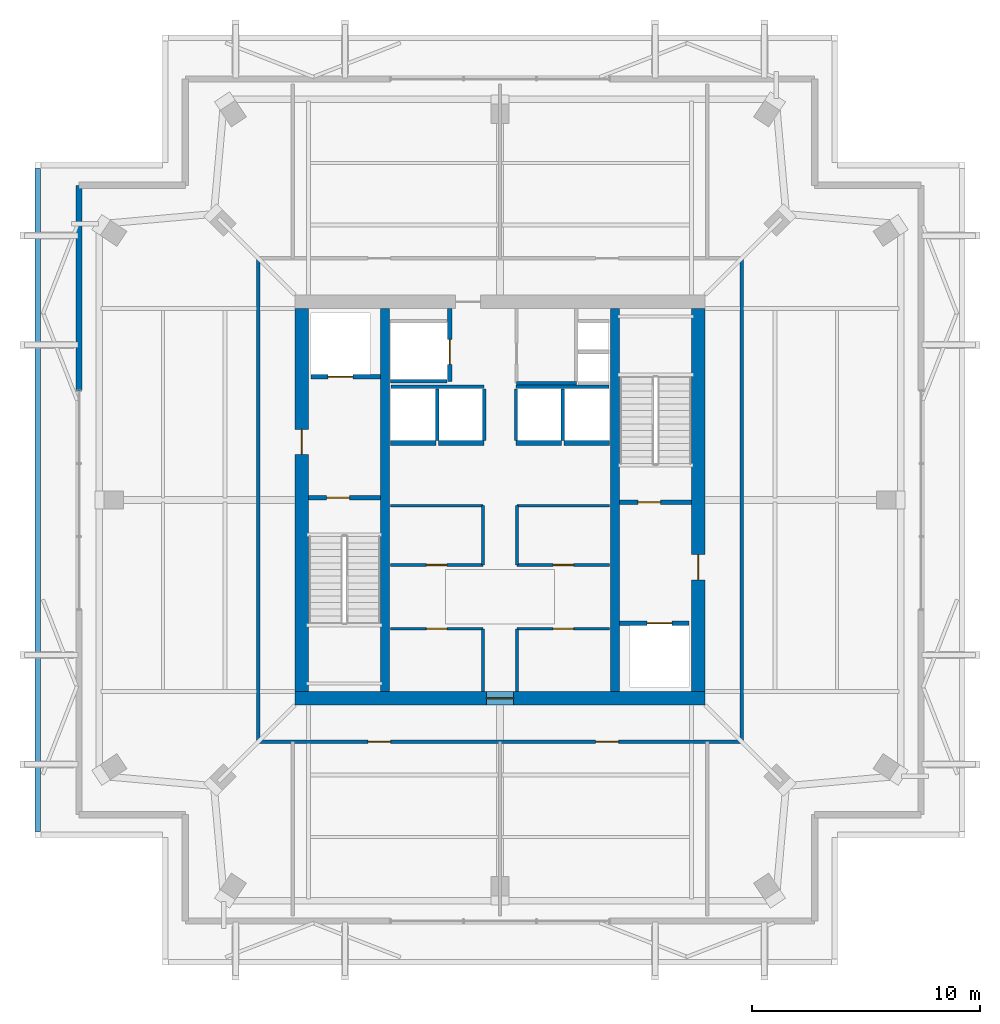
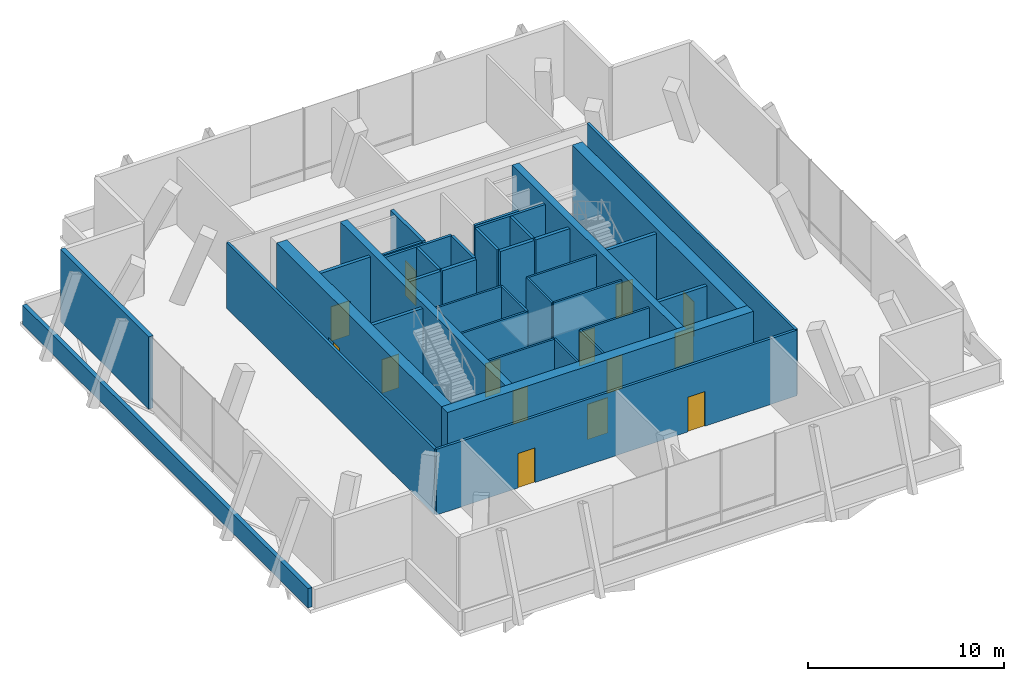
# One storey, part 16 of 18: 37 walls, 14 doors, 14 openings.
"""IFC4 building model written with IfcOpenShell, lengths in metres."""

from ifc_helpers import new_model, si_unit, direction, frame, frame_2d, origin, place, context, subcontext, project, spatial, rectangle, extrude, material, layer, layer_set, type_object, element, fill, save


model = new_model("IFC4")

# Units and contexts
model_context = context("Model", 3, precision=1e-05, world=origin(), true_north=direction((0.0, 1.0)))
body_context = subcontext(model_context, "Body", "Model", "MODEL_VIEW")
ifc_project = project(units=[si_unit("LENGTHUNIT", "METRE"), si_unit("AREAUNIT", "SQUARE_METRE"), si_unit("VOLUMEUNIT", "CUBIC_METRE"), si_unit("PLANEANGLEUNIT", "RADIAN"), si_unit("MASSUNIT", "GRAM", prefix="KILO")], contexts=[model_context])

# Site, building, storey
site_placement = place(None, origin())
site = spatial("IfcSite", under=ifc_project, at=site_placement, CompositionType="ELEMENT")
building_placement = place(site_placement, origin())
building = spatial("IfcBuilding", under=site, at=building_placement, Name="Belovzor Exchange Tower", CompositionType="ELEMENT")
storey_placement = place(building_placement, frame((0.0, 0.0, 369.0)))
storey = spatial("IfcBuildingStorey", under=building, at=storey_placement, Name="L92", CompositionType="ELEMENT", Elevation=369.0)

# Wall, opening, door
ifc_material_1 = material(Name="Fire-Rated Plasterboard on Galvanised Studs", Category="gypsum")
ifc_layer_1 = layer(ifc_material_1, 0.1201171875)
ifc_layer_set_1 = layer_set([ifc_layer_1], Name="Fire-Rated Plasterboard on Galvanised Studs")
wall_type_1 = type_object("IfcWallType", Name="Fire-Rated Double-Stud Partition Wall 120", PredefinedType="PARTITIONING", material=ifc_layer_set_1)
wall_1_placement = place(storey_placement, frame((24.0, 23.14990234375, 0.0), z_axis=(0.0, 0.0, 1.0), x_axis=(1.0, 0.0, 0.0)))
wall_1 = element("IfcWall", 1, at=wall_1_placement, inside=storey, type_object=wall_type_1, Name="W-P120F Partition Wall W-CRL-L92-WN", PredefinedType="PARTITIONING", context=body_context, shape_type="SweptSolid", body=[
    extrude(rectangle(XDim=4.050048828125, YDim=0.1201171875, at=frame_2d((2.02490234375, 0.0))), origin(), (0.0, 0.0, 1.0), 4.5),
])
opening_1_placement = place(wall_1_placement, frame((1.574951171875, 0.0, 0.0)))
opening_1 = element("IfcOpeningElement", 2, at=opening_1_placement, cuts=wall_1, Name="Opening D-FD60-090", PredefinedType="OPENING", context=body_context, shape_type="SweptSolid", body=[
    extrude(rectangle(XDim=0.89990234375, YDim=2.10009765625, at=frame_2d((0.449951171875, 1.050048828125))), frame((0.0, 0.070068359375, 0.0), z_axis=(0.0, -1.0, 0.0), x_axis=(1.0, 0.0, 0.0)), (0.0, 0.0, 1.0), 0.14013671875),
])
ifc_material_2 = material(Name="Acoustic Timber Fire Leaf", Category="wood")
door_type_1 = type_object("IfcDoorType", Name="Core Service & Restroom Fire Door 900x2100", OperationType="NOTDEFINED", PredefinedType="DOOR", material=ifc_material_2)
door_1_placement = place(opening_1_placement, origin())
door_1 = element("IfcDoor", 3, at=door_1_placement, inside=storey, type_object=door_type_1, Name="D-FD60-090 Core Service & Restroom Fire Door 900x2100", OperationType="SINGLE_SWING_LEFT", OverallHeight=2.10009765625, OverallWidth=0.89990234375, PredefinedType="DOOR", context=body_context, shape_type="SweptSolid", body=[
    extrude(rectangle(XDim=0.89990234375, YDim=2.10009765625, at=frame_2d((0.449951171875, 1.050048828125))), frame((0.0, 0.02490234375, 0.0), z_axis=(0.0, -1.0, 0.0), x_axis=(1.0, 0.0, 0.0)), (0.0, 0.0, 1.0), 0.050048828125),
])
fill(opening_1, door_1)

# Wall
wall_2_placement = place(storey_placement, frame((28.050048828125, 20.39990234375, 0.0), z_axis=(0.0, 0.0, 1.0), x_axis=(0.0, 1.0, 0.0)))
element("IfcWall", 4, at=wall_2_placement, inside=storey, type_object=wall_type_1, Name="W-P120F Partition Wall W-CRL-L92-WE", PredefinedType="PARTITIONING", context=body_context, shape_type="SweptSolid", body=[
    extrude(rectangle(XDim=2.75, YDim=0.1201171875, at=frame_2d((1.375, 0.0))), origin(), (0.0, 0.0, 1.0), 4.5),
])

# Wall, opening, door
wall_3_placement = place(storey_placement, frame((29.550048828125, 23.14990234375, 0.0), z_axis=(0.0, 0.0, 1.0), x_axis=(1.0, 0.0, 0.0)))
wall_3 = element("IfcWall", 5, at=wall_3_placement, inside=storey, type_object=wall_type_1, Name="W-P120F Partition Wall W-CRL-L92-EN", PredefinedType="PARTITIONING", context=body_context, shape_type="SweptSolid", body=[
    extrude(rectangle(XDim=4.050048828125, YDim=0.1201171875, at=frame_2d((2.02490234375, 0.0))), origin(), (0.0, 0.0, 1.0), 4.5),
])
opening_2_placement = place(wall_3_placement, frame((1.574951171875, 0.0, 0.0)))
opening_2 = element("IfcOpeningElement", 6, at=opening_2_placement, cuts=wall_3, Name="Opening D-FD60-090", PredefinedType="OPENING", context=body_context, shape_type="SweptSolid", body=[
    extrude(rectangle(XDim=0.89990234375, YDim=2.10009765625, at=frame_2d((0.449951171875, 1.050048828125))), frame((0.0, 0.070068359375, 0.0), z_axis=(0.0, -1.0, 0.0), x_axis=(1.0, 0.0, 0.0)), (0.0, 0.0, 1.0), 0.14013671875),
])
door_2_placement = place(opening_2_placement, origin())
door_2 = element("IfcDoor", 7, at=door_2_placement, inside=storey, type_object=door_type_1, Name="D-FD60-090 Core Service & Restroom Fire Door 900x2100", OperationType="SINGLE_SWING_RIGHT", OverallHeight=2.10009765625, OverallWidth=0.89990234375, PredefinedType="DOOR", context=body_context, shape_type="SweptSolid", body=[
    extrude(rectangle(XDim=0.89990234375, YDim=2.10009765625, at=frame_2d((0.449951171875, 1.050048828125))), frame((0.0, 0.02490234375, 0.0), z_axis=(0.0, -1.0, 0.0), x_axis=(1.0, 0.0, 0.0)), (0.0, 0.0, 1.0), 0.050048828125),
])
fill(opening_2, door_2)

# Wall
wall_4_placement = place(storey_placement, frame((29.550048828125, 20.39990234375, 0.0), z_axis=(0.0, 0.0, 1.0), x_axis=(0.0, 1.0, 0.0)))
element("IfcWall", 8, at=wall_4_placement, inside=storey, type_object=wall_type_1, Name="W-P120F Partition Wall W-CRL-L92-EW", PredefinedType="PARTITIONING", context=body_context, shape_type="SweptSolid", body=[
    extrude(rectangle(XDim=2.75, YDim=0.1201171875, at=frame_2d((1.375, 0.0))), origin(), (0.0, 0.0, 1.0), 4.5),
])

# Wall, opening, door
wall_5_placement = place(storey_placement, frame((24.0, 25.949951171875, 0.0), z_axis=(0.0, 0.0, 1.0), x_axis=(1.0, 0.0, 0.0)))
wall_5 = element("IfcWall", 9, at=wall_5_placement, inside=storey, type_object=wall_type_1, Name="W-P120F Partition Wall W-CRM-L92-WS", PredefinedType="PARTITIONING", context=body_context, shape_type="SweptSolid", body=[
    extrude(rectangle(XDim=4.050048828125, YDim=0.1201171875, at=frame_2d((2.02490234375, 0.0))), origin(), (0.0, 0.0, 1.0), 4.5),
])
opening_3_placement = place(wall_5_placement, frame((1.574951171875, 0.0, 0.0)))
opening_3 = element("IfcOpeningElement", 10, at=opening_3_placement, cuts=wall_5, Name="Opening D-FD60-090", PredefinedType="OPENING", context=body_context, shape_type="SweptSolid", body=[
    extrude(rectangle(XDim=0.89990234375, YDim=2.10009765625, at=frame_2d((0.449951171875, 1.050048828125))), frame((0.0, 0.070068359375, 0.0), z_axis=(0.0, -1.0, 0.0), x_axis=(1.0, 0.0, 0.0)), (0.0, 0.0, 1.0), 0.14013671875),
])
door_3_placement = place(opening_3_placement, origin())
door_3 = element("IfcDoor", 11, at=door_3_placement, inside=storey, type_object=door_type_1, Name="D-FD60-090 Core Service & Restroom Fire Door 900x2100", OperationType="SINGLE_SWING_LEFT", OverallHeight=2.10009765625, OverallWidth=0.89990234375, PredefinedType="DOOR", context=body_context, shape_type="SweptSolid", body=[
    extrude(rectangle(XDim=0.89990234375, YDim=2.10009765625, at=frame_2d((0.449951171875, 1.050048828125))), frame((0.0, 0.02490234375, 0.0), z_axis=(0.0, -1.0, 0.0), x_axis=(1.0, 0.0, 0.0)), (0.0, 0.0, 1.0), 0.050048828125),
])
fill(opening_3, door_3)

# Walls
wall_6_placement = place(storey_placement, frame((24.0, 28.550048828125, 0.0), z_axis=(0.0, 0.0, 1.0), x_axis=(1.0, 0.0, 0.0)))
element("IfcWall", 12, at=wall_6_placement, inside=storey, type_object=wall_type_1, Name="W-P120F Partition Wall W-CRM-L92-WN", PredefinedType="PARTITIONING", context=body_context, shape_type="SweptSolid", body=[
    extrude(rectangle(XDim=4.050048828125, YDim=0.1201171875, at=frame_2d((2.02490234375, 0.0))), origin(), (0.0, 0.0, 1.0), 4.5),
])
wall_7_placement = place(storey_placement, frame((28.050048828125, 25.949951171875, 0.0), z_axis=(0.0, 0.0, 1.0), x_axis=(0.0, 1.0, 0.0)))
element("IfcWall", 13, at=wall_7_placement, inside=storey, type_object=wall_type_1, Name="W-P120F Partition Wall W-CRM-L92-WE", PredefinedType="PARTITIONING", context=body_context, shape_type="SweptSolid", body=[
    extrude(rectangle(XDim=2.60009765625, YDim=0.1201171875, at=frame_2d((1.300048828125, 0.0))), origin(), (0.0, 0.0, 1.0), 4.5),
])

# Wall, opening, door
wall_8_placement = place(storey_placement, frame((29.550048828125, 25.949951171875, 0.0), z_axis=(0.0, 0.0, 1.0), x_axis=(1.0, 0.0, 0.0)))
wall_8 = element("IfcWall", 14, at=wall_8_placement, inside=storey, type_object=wall_type_1, Name="W-P120F Partition Wall W-CRM-L92-ES", PredefinedType="PARTITIONING", context=body_context, shape_type="SweptSolid", body=[
    extrude(rectangle(XDim=4.050048828125, YDim=0.1201171875, at=frame_2d((2.02490234375, 0.0))), origin(), (0.0, 0.0, 1.0), 4.5),
])
opening_4_placement = place(wall_8_placement, frame((1.574951171875, 0.0, 0.0)))
opening_4 = element("IfcOpeningElement", 15, at=opening_4_placement, cuts=wall_8, Name="Opening D-FD60-090", PredefinedType="OPENING", context=body_context, shape_type="SweptSolid", body=[
    extrude(rectangle(XDim=0.89990234375, YDim=2.10009765625, at=frame_2d((0.449951171875, 1.050048828125))), frame((0.0, 0.070068359375, 0.0), z_axis=(0.0, -1.0, 0.0), x_axis=(1.0, 0.0, 0.0)), (0.0, 0.0, 1.0), 0.14013671875),
])
door_4_placement = place(opening_4_placement, origin())
door_4 = element("IfcDoor", 16, at=door_4_placement, inside=storey, type_object=door_type_1, Name="D-FD60-090 Core Service & Restroom Fire Door 900x2100", OperationType="SINGLE_SWING_RIGHT", OverallHeight=2.10009765625, OverallWidth=0.89990234375, PredefinedType="DOOR", context=body_context, shape_type="SweptSolid", body=[
    extrude(rectangle(XDim=0.89990234375, YDim=2.10009765625, at=frame_2d((0.449951171875, 1.050048828125))), frame((0.0, 0.02490234375, 0.0), z_axis=(0.0, -1.0, 0.0), x_axis=(1.0, 0.0, 0.0)), (0.0, 0.0, 1.0), 0.050048828125),
])
fill(opening_4, door_4)

# Walls
wall_9_placement = place(storey_placement, frame((29.550048828125, 28.550048828125, 0.0), z_axis=(0.0, 0.0, 1.0), x_axis=(1.0, 0.0, 0.0)))
element("IfcWall", 17, at=wall_9_placement, inside=storey, type_object=wall_type_1, Name="W-P120F Partition Wall W-CRM-L92-EN", PredefinedType="PARTITIONING", context=body_context, shape_type="SweptSolid", body=[
    extrude(rectangle(XDim=4.050048828125, YDim=0.1201171875, at=frame_2d((2.02490234375, 0.0))), origin(), (0.0, 0.0, 1.0), 4.5),
])
wall_10_placement = place(storey_placement, frame((29.550048828125, 25.949951171875, 0.0), z_axis=(0.0, 0.0, 1.0), x_axis=(0.0, 1.0, 0.0)))
element("IfcWall", 18, at=wall_10_placement, inside=storey, type_object=wall_type_1, Name="W-P120F Partition Wall W-CRM-L92-EW", PredefinedType="PARTITIONING", context=body_context, shape_type="SweptSolid", body=[
    extrude(rectangle(XDim=2.60009765625, YDim=0.1201171875, at=frame_2d((1.300048828125, 0.0))), origin(), (0.0, 0.0, 1.0), 4.5),
])
ifc_material_3 = material(Name="Fire-Rated Gypsum Block and Mineral Wool", Category="gypsum")
ifc_layer_2 = layer(ifc_material_3, 0.14990234375)
ifc_layer_set_2 = layer_set([ifc_layer_2], Name="Fire-Rated Gypsum Block and Mineral Wool")
wall_type_2 = type_object("IfcWallType", Name="Fire-Rated Gypsum Block Corridor Wall 150", PredefinedType="PARTITIONING", material=ifc_layer_set_2)
wall_11_placement = place(storey_placement, frame((29.52490234375, 33.925048828125, 0.0), z_axis=(0.0, 0.0, 1.0), x_axis=(1.0, 0.0, 0.0)))
element("IfcWall", 19, at=wall_11_placement, inside=storey, type_object=wall_type_2, Name="W-P150 Partition Wall W-CRV-L92-S", PredefinedType="PARTITIONING", context=body_context, shape_type="SweptSolid", body=[
    extrude(rectangle(XDim=2.625, YDim=0.14990234375, at=frame_2d((1.3125, 0.0))), origin(), (0.0, 0.0, 1.0), 4.5),
])

# Wall, openings, doors
wall_12_placement = place(storey_placement, frame((18.199951171875, 18.199951171875, 0.0), z_axis=(0.0, 0.0, 1.0), x_axis=(1.0, 0.0, 0.0)))
wall_12 = element("IfcWall", 20, at=wall_12_placement, inside=storey, type_object=wall_type_2, Name="W-P150 Partition Wall W-L92-PCS", PredefinedType="PARTITIONING", context=body_context, shape_type="SweptSolid", body=[
    extrude(rectangle(XDim=21.199951171875, YDim=0.14990234375, at=frame_2d((10.60009765625, 0.0))), origin(), (0.0, 0.0, 1.0), 4.0849609375),
])
opening_5_placement = place(wall_12_placement, frame((4.800048828125, 0.0, 0.0)))
opening_5 = element("IfcOpeningElement", 21, at=opening_5_placement, cuts=wall_12, Name="Opening D-FD90-105", PredefinedType="OPENING", context=body_context, shape_type="SweptSolid", body=[
    extrude(rectangle(XDim=1.0, YDim=2.14990234375, at=frame_2d((0.5, 1.074951171875))), frame((0.0, 0.0849609375, 0.0), z_axis=(0.0, -1.0, 0.0), x_axis=(1.0, 0.0, 0.0)), (0.0, 0.0, 1.0), 0.169921875),
])
opening_6_placement = place(wall_12_placement, frame((14.800048828125, 0.0, 0.0)))
opening_6 = element("IfcOpeningElement", 22, at=opening_6_placement, cuts=wall_12, Name="Opening D-FD90-105", PredefinedType="OPENING", context=body_context, shape_type="SweptSolid", body=[
    extrude(rectangle(XDim=1.0, YDim=2.14990234375, at=frame_2d((0.5, 1.074951171875))), frame((0.0, 0.0849609375, 0.0), z_axis=(0.0, -1.0, 0.0), x_axis=(1.0, 0.0, 0.0)), (0.0, 0.0, 1.0), 0.169921875),
])
ifc_material_4 = material(Name="Fire-Rated Galvanised Steel Leaf", Category="steel")
door_type_2 = type_object("IfcDoorType", Name="Core North Foyer Fire Door 1000x2150", OperationType="NOTDEFINED", PredefinedType="DOOR", material=ifc_material_4)
door_5_placement = place(opening_5_placement, origin())
door_5 = element("IfcDoor", 23, at=door_5_placement, inside=storey, type_object=door_type_2, Name="D-FD90-105 Core North Foyer Fire Door 1000x2150", OperationType="SINGLE_SWING_LEFT", OverallHeight=2.14990234375, OverallWidth=1.0, PredefinedType="DOOR", context=body_context, shape_type="SweptSolid", body=[
    extrude(rectangle(XDim=1.0, YDim=2.14990234375, at=frame_2d((0.5, 1.074951171875))), frame((0.0, 0.02490234375, 0.0), z_axis=(0.0, -1.0, 0.0), x_axis=(1.0, 0.0, 0.0)), (0.0, 0.0, 1.0), 0.050048828125),
])
fill(opening_5, door_5)
door_6_placement = place(opening_6_placement, origin())
door_6 = element("IfcDoor", 24, at=door_6_placement, inside=storey, type_object=door_type_2, Name="D-FD90-105 Core North Foyer Fire Door 1000x2150", OperationType="SINGLE_SWING_RIGHT", OverallHeight=2.14990234375, OverallWidth=1.0, PredefinedType="DOOR", context=body_context, shape_type="SweptSolid", body=[
    extrude(rectangle(XDim=1.0, YDim=2.14990234375, at=frame_2d((0.5, 1.074951171875))), frame((0.0, 0.02490234375, 0.0), z_axis=(0.0, -1.0, 0.0), x_axis=(1.0, 0.0, 0.0)), (0.0, 0.0, 1.0), 0.050048828125),
])
fill(opening_6, door_6)

# Walls
for number, where, z_axis, x_axis, name in (
    (25, (18.199951171875, 18.199951171875, 0.0), (0.0, 0.0, 1.0), (0.0, 1.0, 0.0), "W-P150 Partition Wall W-L92-PCW"),
    (26, (39.39990234375, 18.199951171875, 0.0), (0.0, 0.0, 1.0), (0.0, 1.0, 0.0), "W-P150 Partition Wall W-L92-PCE"),
):
    element("IfcWall", number, at=place(storey_placement, frame(where, z_axis=z_axis, x_axis=x_axis)), inside=storey, type_object=wall_type_2, Name=name, PredefinedType="PARTITIONING", context=body_context, shape_type="SweptSolid", body=[
        extrude(rectangle(XDim=21.199951171875, YDim=0.14990234375, at=frame_2d((10.60009765625, 0.0))), origin(), (0.0, 0.0, 1.0), 4.0849609375),
    ])
ifc_material_5 = material(Name="Precast concrete C40/50", Category="concrete")
ifc_layer_3 = layer(ifc_material_5, 0.260009765625)
ifc_layer_set_3 = layer_set([ifc_layer_3], Name="Precast concrete C40/50")
wall_type_3 = type_object("IfcWallType", Name="Precast Concrete Perimeter Loggia Frame Wall 260", PredefinedType="SOLIDWALL", material=ifc_layer_set_3)
wall_13_placement = place(storey_placement, frame((10.330078125, 33.60009765625, 0.0), z_axis=(0.0, 0.0, 1.0), x_axis=(0.0, 1.0, 0.0)))
element("IfcWall", 27, at=wall_13_placement, inside=storey, type_object=wall_type_3, Name="W-EXT260 Precast Concrete Perimeter Loggia Frame Wall 260 L92", PredefinedType="SOLIDWALL", context=body_context, shape_type="SweptSolid", body=[
    extrude(rectangle(XDim=9.0, YDim=0.260009765625, at=frame_2d((4.5, 0.0))), origin(), (0.0, 0.0, 1.0), 4.5),
])
ifc_material_6 = material(Name="Precast concrete C40/50", Category="concrete")
ifc_layer_4 = layer(ifc_material_6, 0.239990234375)
ifc_layer_set_4 = layer_set([ifc_layer_4], Name="Precast concrete C40/50")
wall_type_4 = type_object("IfcWallType", Name="Precast Stone Setback Roof Parapet Wall 240", PredefinedType="PARAPET", material=ifc_layer_set_4)
wall_14_placement = place(storey_placement, frame((8.52001953125, 43.344970703125, 0.0), z_axis=(0.0, 0.0, 1.0), x_axis=(0.0, -1.0, 0.0)))
element("IfcWall", 28, at=wall_14_placement, inside=storey, type_object=wall_type_4, Name="W-PAR240 Precast Stone Setback Roof Parapet Wall 240 L92", PredefinedType="PARAPET", context=body_context, shape_type="SweptSolid", body=[
    extrude(rectangle(XDim=29.090087890625, YDim=0.239990234375, at=frame_2d((14.544921875, 0.0))), origin(), (0.0, 0.0, 1.0), 1.199951171875),
])
ifc_material_7 = material(Name="Concrete C50/60", Category="concrete")
ifc_layer_5 = layer(ifc_material_7, 0.39990234375)
ifc_layer_set_5 = layer_set([ifc_layer_5], Name="Concrete C50/60")
wall_type_5 = type_object("IfcWallType", Name="Reinforced Concrete Core Internal Web Wall 400", PredefinedType="SHEAR", material=ifc_layer_set_5)
for number, where, z_axis, x_axis, name in (
    (29, (23.75, 20.39990234375, 0.0), (0.0, 0.0, 1.0), (0.0, 1.0, 0.0), "CW-W040 Core Internal Web Wall L92 WL"),
    (30, (33.85009765625, 20.39990234375, 0.0), (0.0, 0.0, 1.0), (0.0, 1.0, 0.0), "CW-W040 Core Internal Web Wall L92 ER"),
):
    element("IfcWall", number, at=place(storey_placement, frame(where, z_axis=z_axis, x_axis=x_axis)), inside=storey, type_object=wall_type_5, Name=name, PredefinedType="SHEAR", context=body_context, shape_type="SweptSolid", body=[
        extrude(rectangle(XDim=16.800048828125, YDim=0.39990234375, at=frame_2d((8.39990234375, 0.0))), origin(), (0.0, 0.0, 1.0), 4.800048828125),
    ])
ifc_material_8 = material(Name="Concrete C50/60", Category="concrete")
ifc_layer_6 = layer(ifc_material_8, 0.14990234375)
ifc_layer_set_6 = layer_set([ifc_layer_6], Name="Concrete C50/60")
wall_type_6 = type_object("IfcWallType", Name="Reinforced Concrete Core Riser Shear Wall 150", PredefinedType="SHEAR", material=ifc_layer_set_6)
wall_15_placement = place(storey_placement, frame((24.0, 34.0, 0.0), z_axis=(0.0, 0.0, 1.0), x_axis=(1.0, 0.0, 0.0)))
element("IfcWall", 31, at=wall_15_placement, inside=storey, type_object=wall_type_6, Name="W-C150S Core Shaft Wall W-SH-L92-SL-01S", PredefinedType="SHEAR", context=body_context, shape_type="SweptSolid", body=[
    extrude(rectangle(XDim=2.47998046875, YDim=0.14990234375, at=frame_2d((1.239990234375, 0.0))), origin(), (0.0, 0.0, 1.0), 4.5),
])
for number, where, z_axis, x_axis, name in (
    (32, (24.02001953125, 33.760009765625, 0.0), (0.0, 0.0, 1.0), (1.0, 0.0, 0.0), "W-C150S Core Shaft Wall W-SHB-L92-PLH-NW"),
    (33, (29.5, 33.760009765625, 0.0), (0.0, 0.0, 1.0), (1.0, 0.0, 0.0), "W-C150S Core Shaft Wall W-SHB-L92-PLH-NE"),
):
    element("IfcWall", number, at=place(storey_placement, frame(where, z_axis=z_axis, x_axis=x_axis)), inside=storey, type_object=wall_type_6, Name=name, PredefinedType="SHEAR", context=body_context, shape_type="SweptSolid", body=[
        extrude(rectangle(XDim=4.080078125, YDim=0.14990234375, at=frame_2d((2.0400390625, 0.0))), origin(), (0.0, 0.0, 1.0), 4.5),
    ])
for number, where, z_axis, x_axis, name in (
    (34, (26.050048828125, 31.419921875, 0.0), (0.0, 0.0, 1.0), (0.0, 1.0, 0.0), "W-C150S Core Shaft Wall W-SHD-L92-PLH-1"),
    (35, (28.10009765625, 31.419921875, 0.0), (0.0, 0.0, 1.0), (0.0, 1.0, 0.0), "W-C150S Core Shaft Wall W-SHD-L92-PLH-2"),
    (36, (29.5, 31.419921875, 0.0), (0.0, 0.0, 1.0), (0.0, 1.0, 0.0), "W-C150S Core Shaft Wall W-SHD-L92-PLH-3"),
    (37, (31.550048828125, 31.419921875, 0.0), (0.0, 0.0, 1.0), (0.0, 1.0, 0.0), "W-C150S Core Shaft Wall W-SHD-L92-PLH-4"),
):
    element("IfcWall", number, at=place(storey_placement, frame(where, z_axis=z_axis, x_axis=x_axis)), inside=storey, type_object=wall_type_6, Name=name, PredefinedType="SHEAR", context=body_context, shape_type="SweptSolid", body=[
        extrude(rectangle(XDim=2.239990234375, YDim=0.14990234375, at=frame_2d((1.1201171875, 0.0))), origin(), (0.0, 0.0, 1.0), 4.5),
    ])

# Wall, opening, door
ifc_material_9 = material(Name="Concrete C50/60", Category="concrete")
ifc_layer_7 = layer(ifc_material_9, 0.199951171875)
ifc_layer_set_7 = layer_set([ifc_layer_7], Name="Concrete C50/60")
wall_type_7 = type_object("IfcWallType", Name="Reinforced Concrete Core Shaft Shear Wall 200", PredefinedType="SHEAR", material=ifc_layer_set_7)
wall_16_placement = place(storey_placement, frame((20.39990234375, 28.89990234375, 0.0), z_axis=(0.0, 0.0, 1.0), x_axis=(1.0, 0.0, 0.0)))
wall_16 = element("IfcWall", 38, at=wall_16_placement, inside=storey, type_object=wall_type_7, Name="W-C200S Core Shaft Wall W-CORE-L92-FFLW1", PredefinedType="SHEAR", context=body_context, shape_type="SweptSolid", body=[
    extrude(rectangle(XDim=3.150146484375, YDim=0.199951171875, at=frame_2d((1.5751953125, 0.0))), origin(), (0.0, 0.0, 1.0), 4.5),
])
opening_7_placement = place(wall_16_placement, frame((0.800048828125, 0.0, 0.0)))
opening_7 = element("IfcOpeningElement", 39, at=opening_7_placement, cuts=wall_16, Name="Opening D-FD90-100", PredefinedType="OPENING", context=body_context, shape_type="SweptSolid", body=[
    extrude(rectangle(XDim=1.0, YDim=2.10009765625, at=frame_2d((0.5, 1.050048828125))), frame((0.0, 0.10986328125, 0.0), z_axis=(0.0, -1.0, 0.0), x_axis=(1.0, 0.0, 0.0)), (0.0, 0.0, 1.0), 0.219970703125),
])
ifc_material_10 = material(Name="Fire-Rated Galvanised Steel Leaf", Category="steel")
door_type_3 = type_object("IfcDoorType", Name="Protected Stairwell Single Fire Door 1000x2100", OperationType="NOTDEFINED", PredefinedType="DOOR", material=ifc_material_10)
door_7_placement = place(opening_7_placement, origin())
door_7 = element("IfcDoor", 40, at=door_7_placement, inside=storey, type_object=door_type_3, Name="D-FD90-100 Protected Stairwell Single Fire Door 1000x2100", OperationType="SINGLE_SWING_RIGHT", OverallHeight=2.10009765625, OverallWidth=1.0, PredefinedType="DOOR", context=body_context, shape_type="SweptSolid", body=[
    extrude(rectangle(XDim=1.0, YDim=2.10009765625, at=frame_2d((0.5, 1.050048828125))), frame((0.0, 0.02490234375, 0.0), z_axis=(0.0, -1.0, 0.0), x_axis=(1.0, 0.0, 0.0)), (0.0, 0.0, 1.0), 0.050048828125),
])
fill(opening_7, door_7)

wall_17_placement = place(storey_placement, frame((34.050048828125, 28.699951171875, 0.0), z_axis=(0.0, 0.0, 1.0), x_axis=(1.0, 0.0, 0.0)))
wall_17 = element("IfcWall", 41, at=wall_17_placement, inside=storey, type_object=wall_type_7, Name="W-C200S Core Shaft Wall W-CORE-L92-FFLE2", PredefinedType="SHEAR", context=body_context, shape_type="SweptSolid", body=[
    extrude(rectangle(XDim=3.14990234375, YDim=0.199951171875, at=frame_2d((1.574951171875, 0.0))), origin(), (0.0, 0.0, 1.0), 4.5),
])
opening_8_placement = place(wall_17_placement, frame((0.800048828125, 0.0, 0.0)))
opening_8 = element("IfcOpeningElement", 42, at=opening_8_placement, cuts=wall_17, Name="Opening D-FD90-100", PredefinedType="OPENING", context=body_context, shape_type="SweptSolid", body=[
    extrude(rectangle(XDim=1.0, YDim=2.10009765625, at=frame_2d((0.5, 1.050048828125))), frame((0.0, 0.10986328125, 0.0), z_axis=(0.0, -1.0, 0.0), x_axis=(1.0, 0.0, 0.0)), (0.0, 0.0, 1.0), 0.219970703125),
])
door_8_placement = place(opening_8_placement, origin())
door_8 = element("IfcDoor", 43, at=door_8_placement, inside=storey, type_object=door_type_3, Name="D-FD90-100 Protected Stairwell Single Fire Door 1000x2100", OperationType="SINGLE_SWING_LEFT", OverallHeight=2.10009765625, OverallWidth=1.0, PredefinedType="DOOR", context=body_context, shape_type="SweptSolid", body=[
    extrude(rectangle(XDim=1.0, YDim=2.10009765625, at=frame_2d((0.5, 1.050048828125))), frame((0.0, 0.02490234375, 0.0), z_axis=(0.0, -1.0, 0.0), x_axis=(1.0, 0.0, 0.0)), (0.0, 0.0, 1.0), 0.050048828125),
])
fill(opening_8, door_8)

wall_18_placement = place(storey_placement, frame((20.5, 34.199951171875, 0.0), z_axis=(0.0, 0.0, 1.0), x_axis=(1.0, 0.0, 0.0)))
wall_18 = element("IfcWall", 44, at=wall_18_placement, inside=storey, type_object=wall_type_7, Name="W-C200S Core Shaft Wall W-SH-L92-FFL-01", PredefinedType="SHEAR", context=body_context, shape_type="SweptSolid", body=[
    extrude(rectangle(XDim=3.050048828125, YDim=0.199951171875, at=frame_2d((1.52490234375, 0.0))), origin(), (0.0, 0.0, 1.0), 4.5),
])
opening_9_placement = place(wall_18_placement, frame((0.75, 0.0, 0.0)))
opening_9 = element("IfcOpeningElement", 45, at=opening_9_placement, cuts=wall_18, Name="Opening LD-110", PredefinedType="OPENING", context=body_context, shape_type="SweptSolid", body=[
    extrude(rectangle(XDim=1.10009765625, YDim=2.14990234375, at=frame_2d((0.550048828125, 1.074951171875))), frame((0.0, 0.10986328125, 0.0), z_axis=(0.0, -1.0, 0.0), x_axis=(1.0, 0.0, 0.0)), (0.0, 0.0, 1.0), 0.219970703125),
])
ifc_material_11 = material(Name="Stainless Steel Grade 304", Category="steel")
door_type_4 = type_object("IfcDoorType", Name="Automated Stainless Steel Lift Landing Door 1100x2150", OperationType="SLIDING_TO_RIGHT", PredefinedType="DOOR", material=ifc_material_11)
door_9_placement = place(opening_9_placement, origin())
door_9 = element("IfcDoor", 46, at=door_9_placement, inside=storey, type_object=door_type_4, Name="LD-110 Automated Stainless Steel Lift Landing Door 1100x2150", OperationType="SLIDING_TO_RIGHT", OverallHeight=2.14990234375, OverallWidth=1.10009765625, PredefinedType="DOOR", context=body_context, shape_type="SweptSolid", body=[
    extrude(rectangle(XDim=1.10009765625, YDim=2.14990234375, at=frame_2d((0.550048828125, 1.074951171875))), frame((0.0, 0.02490234375, 0.0), z_axis=(0.0, -1.0, 0.0), x_axis=(1.0, 0.0, 0.0)), (0.0, 0.0, 1.0), 0.050048828125),
])
fill(opening_9, door_9)

wall_19_placement = place(storey_placement, frame((34.050048828125, 23.39990234375, 0.0), z_axis=(0.0, 0.0, 1.0), x_axis=(1.0, 0.0, 0.0)))
wall_19 = element("IfcWall", 47, at=wall_19_placement, inside=storey, type_object=wall_type_7, Name="W-C200S Core Shaft Wall W-SH-L92-FFL-02", PredefinedType="SHEAR", context=body_context, shape_type="SweptSolid", body=[
    extrude(rectangle(XDim=3.050048828125, YDim=0.199951171875, at=frame_2d((1.52490234375, 0.0))), origin(), (0.0, 0.0, 1.0), 4.5),
])
opening_10_placement = place(wall_19_placement, frame((1.199951171875, 0.0, 0.0)))
opening_10 = element("IfcOpeningElement", 48, at=opening_10_placement, cuts=wall_19, Name="Opening LD-110", PredefinedType="OPENING", context=body_context, shape_type="SweptSolid", body=[
    extrude(rectangle(XDim=1.10009765625, YDim=2.14990234375, at=frame_2d((0.550048828125, 1.074951171875))), frame((0.0, 0.10986328125, 0.0), z_axis=(0.0, -1.0, 0.0), x_axis=(1.0, 0.0, 0.0)), (0.0, 0.0, 1.0), 0.219970703125),
])
door_10_placement = place(opening_10_placement, origin())
door_10 = element("IfcDoor", 49, at=door_10_placement, inside=storey, type_object=door_type_4, Name="LD-110 Automated Stainless Steel Lift Landing Door 1100x2150", OperationType="SLIDING_TO_RIGHT", OverallHeight=2.14990234375, OverallWidth=1.10009765625, PredefinedType="DOOR", context=body_context, shape_type="SweptSolid", body=[
    extrude(rectangle(XDim=1.10009765625, YDim=2.14990234375, at=frame_2d((0.550048828125, 1.074951171875))), frame((0.0, 0.02490234375, 0.0), z_axis=(0.0, -1.0, 0.0), x_axis=(1.0, 0.0, 0.0)), (0.0, 0.0, 1.0), 0.050048828125),
])
fill(opening_10, door_10)

wall_20_placement = place(storey_placement, frame((26.60009765625, 34.0, 0.0), z_axis=(0.0, 0.0, 1.0), x_axis=(0.0, 1.0, 0.0)))
wall_20 = element("IfcWall", 50, at=wall_20_placement, inside=storey, type_object=wall_type_7, Name="W-C200S Core Shaft Wall W-SH-L92-SL-01", PredefinedType="SHEAR", context=body_context, shape_type="SweptSolid", body=[
    extrude(rectangle(XDim=3.199951171875, YDim=0.199951171875, at=frame_2d((1.60009765625, 0.0))), origin(), (0.0, 0.0, 1.0), 4.5),
])
opening_11_placement = place(wall_20_placement, frame((0.75, 0.0, 0.0)))
opening_11 = element("IfcOpeningElement", 51, at=opening_11_placement, cuts=wall_20, Name="Opening LD-110", PredefinedType="OPENING", context=body_context, shape_type="SweptSolid", body=[
    extrude(rectangle(XDim=1.10009765625, YDim=2.14990234375, at=frame_2d((0.550048828125, 1.074951171875))), frame((0.0, 0.10986328125, 0.0), z_axis=(0.0, -1.0, 0.0), x_axis=(1.0, 0.0, 0.0)), (0.0, 0.0, 1.0), 0.219970703125),
])
door_11_placement = place(opening_11_placement, origin())
door_11 = element("IfcDoor", 52, at=door_11_placement, inside=storey, type_object=door_type_4, Name="LD-110 Automated Stainless Steel Lift Landing Door 1100x2150", OperationType="SLIDING_TO_RIGHT", OverallHeight=2.14990234375, OverallWidth=1.10009765625, PredefinedType="DOOR", context=body_context, shape_type="SweptSolid", body=[
    extrude(rectangle(XDim=1.10009765625, YDim=2.14990234375, at=frame_2d((0.550048828125, 1.074951171875))), frame((0.0, 0.02490234375, 0.0), z_axis=(0.0, -1.0, 0.0), x_axis=(1.0, 0.0, 0.0)), (0.0, 0.0, 1.0), 0.050048828125),
])
fill(opening_11, door_11)

# Walls
for number, where, z_axis, x_axis, name in (
    (53, (24.0, 31.300048828125, 0.0), (0.0, 0.0, 1.0), (1.0, 0.0, 0.0), "W-C200S Core Shaft Wall W-SH-L92-PL-H1"),
    (54, (26.10009765625, 31.300048828125, 0.0), (0.0, 0.0, 1.0), (1.0, 0.0, 0.0), "W-C200S Core Shaft Wall W-SH-L92-PL-H2"),
    (55, (29.5, 31.300048828125, 0.0), (0.0, 0.0, 1.0), (1.0, 0.0, 0.0), "W-C200S Core Shaft Wall W-SH-L92-PL-H3"),
    (56, (31.60009765625, 31.300048828125, 0.0), (0.0, 0.0, 1.0), (1.0, 0.0, 0.0), "W-C200S Core Shaft Wall W-SH-L92-PL-H4"),
):
    element("IfcWall", number, at=place(storey_placement, frame(where, z_axis=z_axis, x_axis=x_axis)), inside=storey, type_object=wall_type_7, Name=name, PredefinedType="SHEAR", context=body_context, shape_type="SweptSolid", body=[
        extrude(rectangle(XDim=2.0, YDim=0.199951171875, at=frame_2d((1.0, 0.0))), origin(), (0.0, 0.0, 1.0), 4.5),
    ])

# Wall, opening, door
ifc_material_12 = material(Name="Concrete C50/60", Category="concrete")
ifc_layer_8 = layer(ifc_material_12, 0.60009765625)
ifc_layer_set_8 = layer_set([ifc_layer_8], Name="Concrete C50/60")
wall_type_8 = type_object("IfcWallType", Name="Reinforced Concrete Core Shear Wall 600", PredefinedType="SHEAR", material=ifc_layer_set_8)
wall_21_placement = place(storey_placement, frame((19.800048828125, 20.10009765625, 0.0), z_axis=(0.0, 0.0, 1.0), x_axis=(1.0, 0.0, 0.0)))
wall_21 = element("IfcWall", 57, at=wall_21_placement, inside=storey, type_object=wall_type_8, Name="CW-S060 Core Shear Wall L92 S", PredefinedType="SHEAR", context=body_context, shape_type="SweptSolid", body=[
    extrude(rectangle(XDim=18.0, YDim=0.60009765625, at=frame_2d((9.0, 0.0))), origin(), (0.0, 0.0, 1.0), 4.800048828125),
])
opening_12_placement = place(wall_21_placement, frame((8.39990234375, 0.0, 0.0)))
opening_12 = element("IfcOpeningElement", 58, at=opening_12_placement, cuts=wall_21, Name="Opening D-FD90-120", PredefinedType="OPENING", context=body_context, shape_type="SweptSolid", body=[
    extrude(rectangle(XDim=1.199951171875, YDim=2.199951171875, at=frame_2d((0.60009765625, 1.10009765625))), frame((0.0, 0.31005859375, 0.0), z_axis=(0.0, -1.0, 0.0), x_axis=(1.0, 0.0, 0.0)), (0.0, 0.0, 1.0), 0.6201171875),
])
ifc_material_13 = material(Name="Fire-Rated Galvanised Steel Leaf", Category="steel")
door_type_5 = type_object("IfcDoorType", Name="Heavy Plant & Foyer Fire Door 1200x2200", OperationType="NOTDEFINED", PredefinedType="DOOR", material=ifc_material_13)
door_12_placement = place(opening_12_placement, origin())
door_12 = element("IfcDoor", 59, at=door_12_placement, inside=storey, type_object=door_type_5, Name="D-FD90-120 Heavy Plant & Foyer Fire Door 1200x2200", OperationType="SINGLE_SWING_LEFT", OverallHeight=2.199951171875, OverallWidth=1.199951171875, PredefinedType="DOOR", context=body_context, shape_type="SweptSolid", body=[
    extrude(rectangle(XDim=1.199951171875, YDim=2.199951171875, at=frame_2d((0.60009765625, 1.10009765625))), frame((0.0, 0.02490234375, 0.0), z_axis=(0.0, -1.0, 0.0), x_axis=(1.0, 0.0, 0.0)), (0.0, 0.0, 1.0), 0.050048828125),
])
fill(opening_12, door_12)

wall_22_placement = place(storey_placement, frame((20.10009765625, 20.39990234375, 0.0), z_axis=(0.0, 0.0, 1.0), x_axis=(0.0, 1.0, 0.0)))
wall_22 = element("IfcWall", 60, at=wall_22_placement, inside=storey, type_object=wall_type_8, Name="CW-S060 Core Shear Wall L92 W", PredefinedType="SHEAR", context=body_context, shape_type="SweptSolid", body=[
    extrude(rectangle(XDim=16.800048828125, YDim=0.60009765625, at=frame_2d((8.39990234375, 0.0))), origin(), (0.0, 0.0, 1.0), 4.800048828125),
])
opening_13_placement = place(wall_22_placement, frame((10.39990234375, 0.0, 0.0)))
opening_13 = element("IfcOpeningElement", 61, at=opening_13_placement, cuts=wall_22, Name="Opening D-FD90-110", PredefinedType="OPENING", context=body_context, shape_type="SweptSolid", body=[
    extrude(rectangle(XDim=1.10009765625, YDim=2.14990234375, at=frame_2d((0.550048828125, 1.074951171875))), frame((0.0, 0.31005859375, 0.0), z_axis=(0.0, -1.0, 0.0), x_axis=(1.0, 0.0, 0.0)), (0.0, 0.0, 1.0), 0.6201171875),
])
ifc_material_14 = material(Name="Fire-Rated Galvanised Steel Leaf", Category="steel")
door_type_6 = type_object("IfcDoorType", Name="Protected Escape Vestibule Fire Door 1100x2150", OperationType="NOTDEFINED", PredefinedType="DOOR", material=ifc_material_14)
door_13_placement = place(opening_13_placement, origin())
door_13 = element("IfcDoor", 62, at=door_13_placement, inside=storey, type_object=door_type_6, Name="D-FD90-110 Protected Escape Vestibule Fire Door 1100x2150", OperationType="SINGLE_SWING_LEFT", OverallHeight=2.14990234375, OverallWidth=1.10009765625, PredefinedType="DOOR", context=body_context, shape_type="SweptSolid", body=[
    extrude(rectangle(XDim=1.10009765625, YDim=2.14990234375, at=frame_2d((0.550048828125, 1.074951171875))), frame((0.0, 0.02490234375, 0.0), z_axis=(0.0, -1.0, 0.0), x_axis=(1.0, 0.0, 0.0)), (0.0, 0.0, 1.0), 0.050048828125),
])
fill(opening_13, door_13)

wall_23_placement = place(storey_placement, frame((37.5, 20.39990234375, 0.0), z_axis=(0.0, 0.0, 1.0), x_axis=(0.0, 1.0, 0.0)))
wall_23 = element("IfcWall", 63, at=wall_23_placement, inside=storey, type_object=wall_type_8, Name="CW-S060 Core Shear Wall L92 E", PredefinedType="SHEAR", context=body_context, shape_type="SweptSolid", body=[
    extrude(rectangle(XDim=16.800048828125, YDim=0.60009765625, at=frame_2d((8.39990234375, 0.0))), origin(), (0.0, 0.0, 1.0), 4.800048828125),
])
opening_14_placement = place(wall_23_placement, frame((4.89990234375, 0.0, 0.0)))
opening_14 = element("IfcOpeningElement", 64, at=opening_14_placement, cuts=wall_23, Name="Opening D-FD90-110", PredefinedType="OPENING", context=body_context, shape_type="SweptSolid", body=[
    extrude(rectangle(XDim=1.10009765625, YDim=2.14990234375, at=frame_2d((0.550048828125, 1.074951171875))), frame((0.0, 0.31005859375, 0.0), z_axis=(0.0, -1.0, 0.0), x_axis=(1.0, 0.0, 0.0)), (0.0, 0.0, 1.0), 0.6201171875),
])
door_14_placement = place(opening_14_placement, origin())
door_14 = element("IfcDoor", 65, at=door_14_placement, inside=storey, type_object=door_type_6, Name="D-FD90-110 Protected Escape Vestibule Fire Door 1100x2150", OperationType="SINGLE_SWING_RIGHT", OverallHeight=2.14990234375, OverallWidth=1.10009765625, PredefinedType="DOOR", context=body_context, shape_type="SweptSolid", body=[
    extrude(rectangle(XDim=1.10009765625, YDim=2.14990234375, at=frame_2d((0.550048828125, 1.074951171875))), frame((0.0, 0.02490234375, 0.0), z_axis=(0.0, -1.0, 0.0), x_axis=(1.0, 0.0, 0.0)), (0.0, 0.0, 1.0), 0.050048828125),
])
fill(opening_14, door_14)

save(model, "model.ifc")
